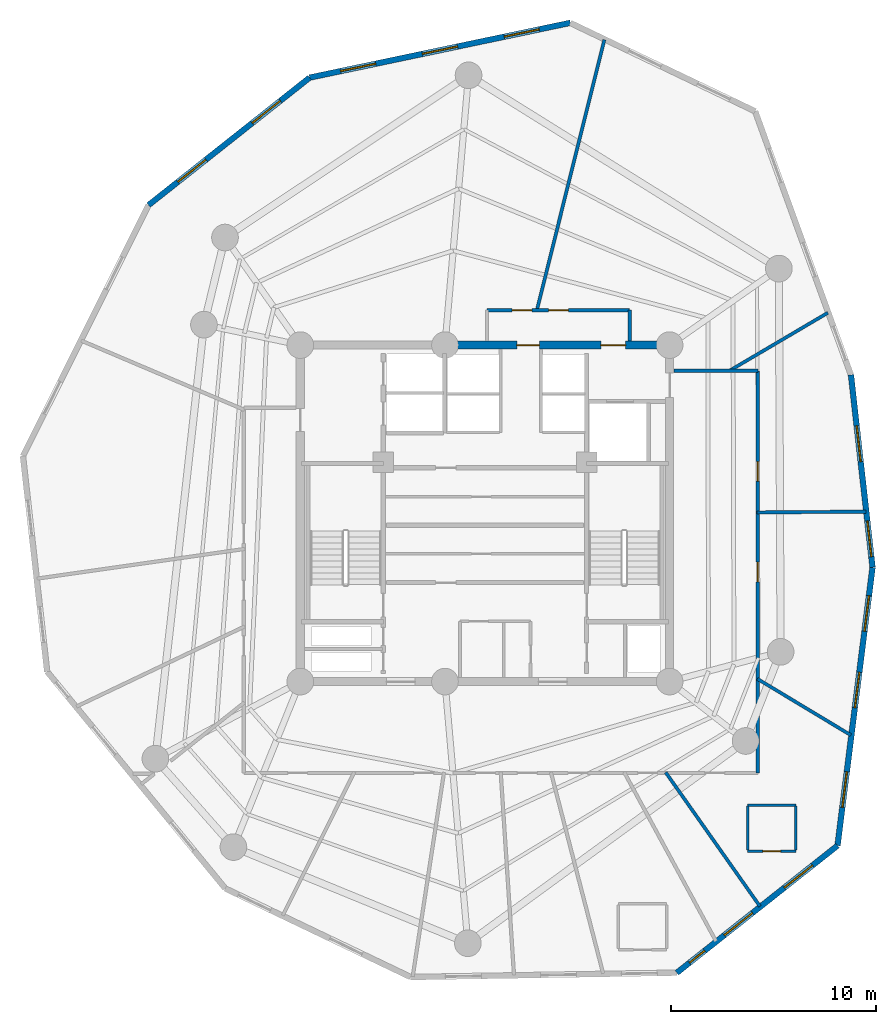
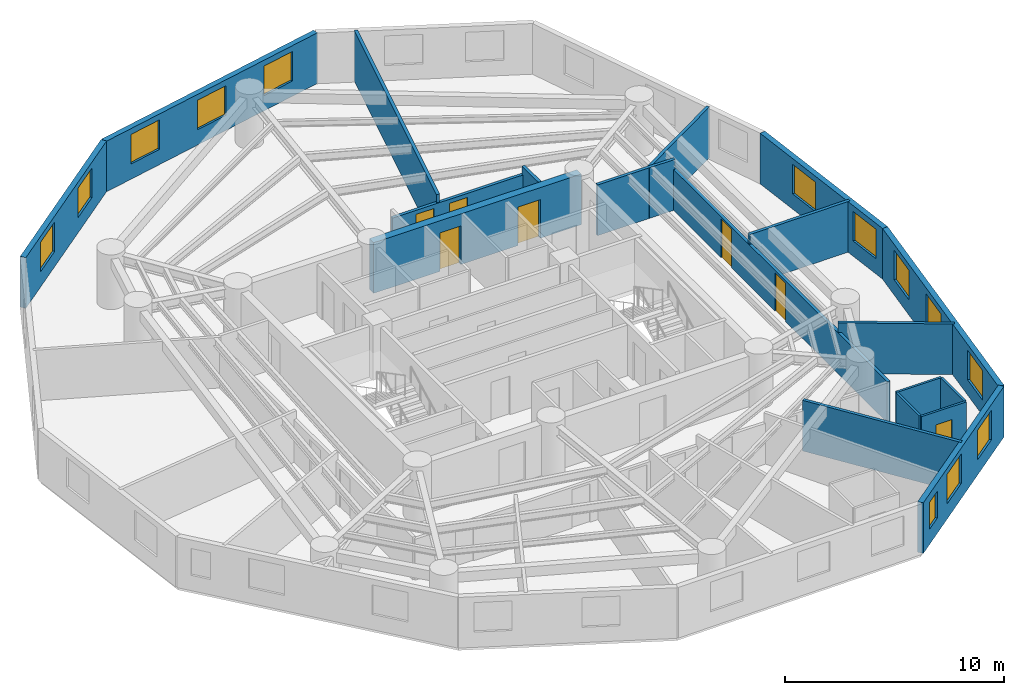
# One storey, part 5 of 7: 19 walls, 13 windows, 7 doors, 20 openings.
"""IFC4 building model written with IfcOpenShell, lengths in metres."""

from ifc_helpers import new_model, si_unit, direction, frame, frame_2d, origin, origin_with_axes, place, context, subcontext, project, spatial, rectangle, extrude, source, transform, mapped, material, layer, layer_set, type_object, element, fill, save


model = new_model("IFC4")

# Units and contexts
model_context = context("Model", 3, precision=1e-05, world=origin(), true_north=direction((0.0, 1.0)))
body_context = subcontext(model_context, "Body", "Model", "MODEL_VIEW")
ifc_project = project(units=[si_unit("LENGTHUNIT", "METRE"), si_unit("AREAUNIT", "SQUARE_METRE"), si_unit("VOLUMEUNIT", "CUBIC_METRE"), si_unit("PLANEANGLEUNIT", "RADIAN"), si_unit("MASSUNIT", "GRAM", prefix="KILO")], contexts=[model_context])

# Site, building, storey
site_placement = place(None, origin())
site = spatial("IfcSite", under=ifc_project, at=site_placement, CompositionType="ELEMENT")
building_placement = place(site_placement, origin())
building = spatial("IfcBuilding", under=site, at=building_placement, Name="Karkom Vertical University and Central Library", CompositionType="ELEMENT")
storey_placement = place(building_placement, frame((0.0, 0.0, 202.300048828125)))
storey = spatial("IfcBuildingStorey", under=building, at=storey_placement, Name="L59", CompositionType="ELEMENT", Elevation=202.300048828125)

# Wall, openings, windows
ifc_material_1 = material(Name="Brick-faced precast concrete C45/55", Category="masonry")
ifc_layer_1 = layer(ifc_material_1, 0.280029296875)
ifc_layer_set_1 = layer_set([ifc_layer_1], Name="Brick-faced precast concrete C45/55")
wall_type_1 = type_object("IfcWallType", Name="ENV-WL-BRK-280", PredefinedType="SOLIDWALL", material=ifc_layer_set_1)
wall_1_placement = place(storey_placement, frame((37.852294921875, 4.107421875, 0.0), z_axis=(0.0, 0.0, 1.0), x_axis=(0.784174665647, 0.620540162888, 0.0)))
wall_1 = element("IfcWall", 1, at=wall_1_placement, inside=storey, type_object=wall_type_1, Name="Level 59 Brick-Faced Precast Facade Wall 05", PredefinedType="SOLIDWALL", context=body_context, shape_type="SweptSolid", body=[
    extrude(rectangle(XDim=9.98876953125, YDim=0.280029296875, at=frame_2d((4.994384765625, 0.0))), origin(), (0.0, 0.0, 1.0), 2.824951171875),
])
opening_1_placement = place(wall_1_placement, frame((0.783935546875, 0.0, 0.85009765625)))
opening_1 = element("IfcOpeningElement", 2, at=opening_1_placement, cuts=wall_1, Name="Opening WN-12", PredefinedType="OPENING", context=body_context, shape_type="SweptSolid", body=[
    extrude(rectangle(XDim=0.949951171875, YDim=1.5, at=frame_2d((0.47509765625, 0.75))), frame((0.0, 0.14990234375, 0.0), z_axis=(0.0, -1.0, 0.0), x_axis=(1.0, 0.0, 0.0)), (0.0, 0.0, 1.0), 0.300048828125),
])
opening_2_placement = place(wall_1_placement, frame((2.947509765625, 0.0, 0.85009765625)))
opening_2 = element("IfcOpeningElement", 3, at=opening_2_placement, cuts=wall_1, Name="Opening WN-08", PredefinedType="OPENING", context=body_context, shape_type="SweptSolid", body=[
    extrude(rectangle(XDim=1.75, YDim=1.64990234375, at=frame_2d((0.875, 0.824951171875))), frame((0.0, 0.14990234375, 0.0), z_axis=(0.0, -1.0, 0.0), x_axis=(1.0, 0.0, 0.0)), (0.0, 0.0, 1.0), 0.300048828125),
])
opening_3_placement = place(wall_1_placement, frame((6.68310546875, 0.0, 0.85009765625)))
opening_3 = element("IfcOpeningElement", 4, at=opening_3_placement, cuts=wall_1, Name="Opening WN-08", PredefinedType="OPENING", context=body_context, shape_type="SweptSolid", body=[
    extrude(rectangle(XDim=1.75, YDim=1.64990234375, at=frame_2d((0.875, 0.824951171875))), frame((0.0, 0.14990234375, 0.0), z_axis=(0.0, -1.0, 0.0), x_axis=(1.0, 0.0, 0.0)), (0.0, 0.0, 1.0), 0.300048828125),
])
ifc_material_2 = material(Name="Aluminium thermal-break frame with solar-control IGU", Category="aluminium")
window_type_1 = type_object("IfcWindowType", Name="ENV-WIN-WN-12", PartitioningType="SINGLE_PANEL", PredefinedType="WINDOW", material=ifc_material_2)
shared_shape_1 = source(origin_with_axes(), body_context, "Body", "SweptSolid", [
    extrude(rectangle(XDim=0.949951171875, YDim=1.5, at=frame_2d((0.47509765625, 0.75))), frame((0.0, 0.030029296875, 0.0), z_axis=(0.0, -1.0, 0.0), x_axis=(1.0, 0.0, 0.0)), (0.0, 0.0, 1.0), 0.06005859375),
])
window_1_placement = place(opening_1_placement, origin())
window_1 = element("IfcWindow", 5, at=window_1_placement, inside=storey, type_object=window_type_1, Name="Level 59 Punched Window 5.1", OverallHeight=1.5, OverallWidth=0.949951171875, PartitioningType="SINGLE_PANEL", PredefinedType="WINDOW", context=body_context, shape_type="MappedRepresentation", body=[
    mapped(shared_shape_1, transform((0.0, 0.0, 0.0), scale=1.0)),
])
fill(opening_1, window_1)
window_type_2 = type_object("IfcWindowType", Name="ENV-WIN-WN-08", PartitioningType="SINGLE_PANEL", PredefinedType="WINDOW", material=ifc_material_2)
shared_shape_2 = source(origin_with_axes(), body_context, "Body", "SweptSolid", [
    extrude(rectangle(XDim=1.75, YDim=1.64990234375, at=frame_2d((0.875, 0.824951171875))), frame((0.0, 0.030029296875, 0.0), z_axis=(0.0, -1.0, 0.0), x_axis=(1.0, 0.0, 0.0)), (0.0, 0.0, 1.0), 0.06005859375),
])
window_2_placement = place(opening_2_placement, origin())
window_2 = element("IfcWindow", 6, at=window_2_placement, inside=storey, type_object=window_type_2, Name="Level 59 Punched Window 5.2", OverallHeight=1.64990234375, OverallWidth=1.75, PartitioningType="SINGLE_PANEL", PredefinedType="WINDOW", context=body_context, shape_type="MappedRepresentation", body=[
    mapped(shared_shape_2, transform((0.0, 0.0, 0.0), scale=1.0)),
])
fill(opening_2, window_2)
window_3_placement = place(opening_3_placement, origin())
window_3 = element("IfcWindow", 7, at=window_3_placement, inside=storey, type_object=window_type_2, Name="Level 59 Punched Window 5.3", OverallHeight=1.64990234375, OverallWidth=1.75, PartitioningType="SINGLE_PANEL", PredefinedType="WINDOW", context=body_context, shape_type="MappedRepresentation", body=[
    mapped(shared_shape_2, transform((0.0, 0.0, 0.0), scale=1.0)),
])
fill(opening_3, window_3)

wall_2_placement = place(storey_placement, frame((45.685302734375, 10.305908203125, 0.0), z_axis=(0.0, 0.0, 1.0), x_axis=(0.12479961812, 0.992181966837, 0.0)))
wall_2 = element("IfcWall", 8, at=wall_2_placement, inside=storey, type_object=wall_type_1, Name="Level 59 Brick-Faced Precast Facade Wall 06", PredefinedType="SOLIDWALL", context=body_context, shape_type="SweptSolid", body=[
    extrude(rectangle(XDim=13.67041015625, YDim=0.280029296875, at=frame_2d((6.835205078125, 0.0))), origin(), (0.0, 0.0, 1.0), 2.824951171875),
])
opening_4_placement = place(wall_2_placement, frame((1.87353515625, 0.0, 0.85009765625)))
opening_4 = element("IfcOpeningElement", 9, at=opening_4_placement, cuts=wall_2, Name="Opening WN-08", PredefinedType="OPENING", context=body_context, shape_type="SweptSolid", body=[
    extrude(rectangle(XDim=1.75, YDim=1.64990234375, at=frame_2d((0.875, 0.824951171875))), frame((0.0, 0.14990234375, 0.0), z_axis=(0.0, -1.0, 0.0), x_axis=(1.0, 0.0, 0.0)), (0.0, 0.0, 1.0), 0.300048828125),
])
opening_5_placement = place(wall_2_placement, frame((6.765380859375, 0.0, 0.85009765625)))
opening_5 = element("IfcOpeningElement", 10, at=opening_5_placement, cuts=wall_2, Name="Opening WN-08", PredefinedType="OPENING", context=body_context, shape_type="SweptSolid", body=[
    extrude(rectangle(XDim=1.75, YDim=1.64990234375, at=frame_2d((0.875, 0.824951171875))), frame((0.0, 0.14990234375, 0.0), z_axis=(0.0, -1.0, 0.0), x_axis=(1.0, 0.0, 0.0)), (0.0, 0.0, 1.0), 0.300048828125),
])
opening_6_placement = place(wall_2_placement, frame((10.531982421875, 0.0, 0.85009765625)))
opening_6 = element("IfcOpeningElement", 11, at=opening_6_placement, cuts=wall_2, Name="Opening WN-08", PredefinedType="OPENING", context=body_context, shape_type="SweptSolid", body=[
    extrude(rectangle(XDim=1.75, YDim=1.64990234375, at=frame_2d((0.875, 0.824951171875))), frame((0.0, 0.14990234375, 0.0), z_axis=(0.0, -1.0, 0.0), x_axis=(1.0, 0.0, 0.0)), (0.0, 0.0, 1.0), 0.300048828125),
])
window_4_placement = place(opening_4_placement, origin())
window_4 = element("IfcWindow", 12, at=window_4_placement, inside=storey, type_object=window_type_2, Name="Level 59 Punched Window 6.1", OverallHeight=1.64990234375, OverallWidth=1.75, PartitioningType="SINGLE_PANEL", PredefinedType="WINDOW", context=body_context, shape_type="MappedRepresentation", body=[
    mapped(shared_shape_2, transform((0.0, 0.0, 0.0), scale=1.0)),
])
fill(opening_4, window_4)
window_5_placement = place(opening_5_placement, origin())
window_5 = element("IfcWindow", 13, at=window_5_placement, inside=storey, type_object=window_type_2, Name="Level 59 Punched Window 6.2", OverallHeight=1.64990234375, OverallWidth=1.75, PartitioningType="SINGLE_PANEL", PredefinedType="WINDOW", context=body_context, shape_type="MappedRepresentation", body=[
    mapped(shared_shape_2, transform((0.0, 0.0, 0.0), scale=1.0)),
])
fill(opening_5, window_5)
window_6_placement = place(opening_6_placement, origin())
window_6 = element("IfcWindow", 14, at=window_6_placement, inside=storey, type_object=window_type_2, Name="Level 59 Punched Window 6.3", OverallHeight=1.64990234375, OverallWidth=1.75, PartitioningType="SINGLE_PANEL", PredefinedType="WINDOW", context=body_context, shape_type="MappedRepresentation", body=[
    mapped(shared_shape_2, transform((0.0, 0.0, 0.0), scale=1.0)),
])
fill(opening_6, window_6)

wall_3_placement = place(storey_placement, frame((47.391357421875, 23.869384765625, 0.0), z_axis=(0.0, 0.0, 1.0), x_axis=(-0.111464679835, 0.993768396131, 0.0)))
wall_3 = element("IfcWall", 15, at=wall_3_placement, inside=storey, type_object=wall_type_1, Name="Level 59 Brick-Faced Precast Facade Wall 07", PredefinedType="SOLIDWALL", context=body_context, shape_type="SweptSolid", body=[
    extrude(rectangle(XDim=9.440185546875, YDim=0.280029296875, at=frame_2d((4.72021484375, 0.0))), origin(), (0.0, 0.0, 1.0), 2.824951171875),
])
opening_7_placement = place(wall_3_placement, frame((0.5244140625, 0.0, 0.85009765625)))
opening_7 = element("IfcOpeningElement", 16, at=opening_7_placement, cuts=wall_3, Name="Opening WN-08", PredefinedType="OPENING", context=body_context, shape_type="SweptSolid", body=[
    extrude(rectangle(XDim=1.75, YDim=1.64990234375, at=frame_2d((0.875, 0.824951171875))), frame((0.0, 0.14990234375, 0.0), z_axis=(0.0, -1.0, 0.0), x_axis=(1.0, 0.0, 0.0)), (0.0, 0.0, 1.0), 0.300048828125),
])
opening_8_placement = place(wall_3_placement, frame((5.1845703125, 0.0, 0.85009765625)))
opening_8 = element("IfcOpeningElement", 17, at=opening_8_placement, cuts=wall_3, Name="Opening WN-08", PredefinedType="OPENING", context=body_context, shape_type="SweptSolid", body=[
    extrude(rectangle(XDim=1.75, YDim=1.64990234375, at=frame_2d((0.875, 0.824951171875))), frame((0.0, 0.14990234375, 0.0), z_axis=(0.0, -1.0, 0.0), x_axis=(1.0, 0.0, 0.0)), (0.0, 0.0, 1.0), 0.300048828125),
])
window_7_placement = place(opening_7_placement, origin())
window_7 = element("IfcWindow", 18, at=window_7_placement, inside=storey, type_object=window_type_2, Name="Level 59 Punched Window 7.1", OverallHeight=1.64990234375, OverallWidth=1.75, PartitioningType="SINGLE_PANEL", PredefinedType="WINDOW", context=body_context, shape_type="MappedRepresentation", body=[
    mapped(shared_shape_2, transform((0.0, 0.0, 0.0), scale=1.0)),
])
fill(opening_7, window_7)
window_8_placement = place(opening_8_placement, origin())
window_8 = element("IfcWindow", 19, at=window_8_placement, inside=storey, type_object=window_type_2, Name="Level 59 Punched Window 7.2", OverallHeight=1.64990234375, OverallWidth=1.75, PartitioningType="SINGLE_PANEL", PredefinedType="WINDOW", context=body_context, shape_type="MappedRepresentation", body=[
    mapped(shared_shape_2, transform((0.0, 0.0, 0.0), scale=1.0)),
])
fill(opening_8, window_8)

wall_4_placement = place(storey_placement, frame((32.658935546875, 50.408203125, 0.0), z_axis=(0.0, 0.0, 1.0), x_axis=(-0.978627730871, -0.205639890026, 0.0)))
wall_4 = element("IfcWall", 20, at=wall_4_placement, inside=storey, type_object=wall_type_1, Name="Level 59 Brick-Faced Precast Facade Wall 10", PredefinedType="SOLIDWALL", context=body_context, shape_type="SweptSolid", body=[
    extrude(rectangle(XDim=12.982177734375, YDim=0.280029296875, at=frame_2d((6.4912109375, 0.0))), origin(), (0.0, 0.0, 1.0), 2.824951171875),
])
opening_9_placement = place(wall_4_placement, frame((1.5419921875, 0.0, 0.85009765625)))
opening_9 = element("IfcOpeningElement", 21, at=opening_9_placement, cuts=wall_4, Name="Opening WN-08", PredefinedType="OPENING", context=body_context, shape_type="SweptSolid", body=[
    extrude(rectangle(XDim=1.75, YDim=1.64990234375, at=frame_2d((0.875, 0.824951171875))), frame((0.0, 0.14990234375, 0.0), z_axis=(0.0, -1.0, 0.0), x_axis=(1.0, 0.0, 0.0)), (0.0, 0.0, 1.0), 0.300048828125),
])
opening_10_placement = place(wall_4_placement, frame((5.6162109375, 0.0, 0.85009765625)))
opening_10 = element("IfcOpeningElement", 22, at=opening_10_placement, cuts=wall_4, Name="Opening WN-08", PredefinedType="OPENING", context=body_context, shape_type="SweptSolid", body=[
    extrude(rectangle(XDim=1.75, YDim=1.64990234375, at=frame_2d((0.875, 0.824951171875))), frame((0.0, 0.14990234375, 0.0), z_axis=(0.0, -1.0, 0.0), x_axis=(1.0, 0.0, 0.0)), (0.0, 0.0, 1.0), 0.300048828125),
])
opening_11_placement = place(wall_4_placement, frame((9.690185546875, 0.0, 0.85009765625)))
opening_11 = element("IfcOpeningElement", 23, at=opening_11_placement, cuts=wall_4, Name="Opening WN-08", PredefinedType="OPENING", context=body_context, shape_type="SweptSolid", body=[
    extrude(rectangle(XDim=1.75, YDim=1.64990234375, at=frame_2d((0.875, 0.824951171875))), frame((0.0, 0.14990234375, 0.0), z_axis=(0.0, -1.0, 0.0), x_axis=(1.0, 0.0, 0.0)), (0.0, 0.0, 1.0), 0.300048828125),
])
window_9_placement = place(opening_9_placement, origin())
window_9 = element("IfcWindow", 24, at=window_9_placement, inside=storey, type_object=window_type_2, Name="Level 59 Punched Window 10.1", OverallHeight=1.64990234375, OverallWidth=1.75, PartitioningType="SINGLE_PANEL", PredefinedType="WINDOW", context=body_context, shape_type="MappedRepresentation", body=[
    mapped(shared_shape_2, transform((0.0, 0.0, 0.0), scale=1.0)),
])
fill(opening_9, window_9)
window_10_placement = place(opening_10_placement, origin())
window_10 = element("IfcWindow", 25, at=window_10_placement, inside=storey, type_object=window_type_2, Name="Level 59 Punched Window 10.2", OverallHeight=1.64990234375, OverallWidth=1.75, PartitioningType="SINGLE_PANEL", PredefinedType="WINDOW", context=body_context, shape_type="MappedRepresentation", body=[
    mapped(shared_shape_2, transform((0.0, 0.0, 0.0), scale=1.0)),
])
fill(opening_10, window_10)
window_11_placement = place(opening_11_placement, origin())
window_11 = element("IfcWindow", 26, at=window_11_placement, inside=storey, type_object=window_type_2, Name="Level 59 Punched Window 10.3", OverallHeight=1.64990234375, OverallWidth=1.75, PartitioningType="SINGLE_PANEL", PredefinedType="WINDOW", context=body_context, shape_type="MappedRepresentation", body=[
    mapped(shared_shape_2, transform((0.0, 0.0, 0.0), scale=1.0)),
])
fill(opening_11, window_11)

wall_5_placement = place(storey_placement, frame((19.9541015625, 47.738525390625, 0.0), z_axis=(0.0, 0.0, 1.0), x_axis=(-0.784172415101, -0.620543006886, 0.0)))
wall_5 = element("IfcWall", 27, at=wall_5_placement, inside=storey, type_object=wall_type_1, Name="Level 59 Brick-Faced Precast Facade Wall 11", PredefinedType="SOLIDWALL", context=body_context, shape_type="SweptSolid", body=[
    extrude(rectangle(XDim=10.010009765625, YDim=0.280029296875, at=frame_2d((5.0048828125, 0.0))), origin(), (0.0, 0.0, 1.0), 2.824951171875),
])
opening_12_placement = place(wall_5_placement, frame((1.8173828125, 0.0, 0.85009765625)))
opening_12 = element("IfcOpeningElement", 28, at=opening_12_placement, cuts=wall_5, Name="Opening WN-08", PredefinedType="OPENING", context=body_context, shape_type="SweptSolid", body=[
    extrude(rectangle(XDim=1.75, YDim=1.64990234375, at=frame_2d((0.875, 0.824951171875))), frame((0.0, 0.14990234375, 0.0), z_axis=(0.0, -1.0, 0.0), x_axis=(1.0, 0.0, 0.0)), (0.0, 0.0, 1.0), 0.300048828125),
])
opening_13_placement = place(wall_5_placement, frame((6.442626953125, 0.0, 0.85009765625)))
opening_13 = element("IfcOpeningElement", 29, at=opening_13_placement, cuts=wall_5, Name="Opening WN-08", PredefinedType="OPENING", context=body_context, shape_type="SweptSolid", body=[
    extrude(rectangle(XDim=1.75, YDim=1.64990234375, at=frame_2d((0.875, 0.824951171875))), frame((0.0, 0.14990234375, 0.0), z_axis=(0.0, -1.0, 0.0), x_axis=(1.0, 0.0, 0.0)), (0.0, 0.0, 1.0), 0.300048828125),
])
window_12_placement = place(opening_12_placement, origin())
window_12 = element("IfcWindow", 30, at=window_12_placement, inside=storey, type_object=window_type_2, Name="Level 59 Punched Window 11.1", OverallHeight=1.64990234375, OverallWidth=1.75, PartitioningType="SINGLE_PANEL", PredefinedType="WINDOW", context=body_context, shape_type="MappedRepresentation", body=[
    mapped(shared_shape_2, transform((0.0, 0.0, 0.0), scale=1.0)),
])
fill(opening_12, window_12)
window_13_placement = place(opening_13_placement, origin())
window_13 = element("IfcWindow", 31, at=window_13_placement, inside=storey, type_object=window_type_2, Name="Level 59 Punched Window 11.2", OverallHeight=1.64990234375, OverallWidth=1.75, PartitioningType="SINGLE_PANEL", PredefinedType="WINDOW", context=body_context, shape_type="MappedRepresentation", body=[
    mapped(shared_shape_2, transform((0.0, 0.0, 0.0), scale=1.0)),
])
fill(opening_13, window_13)

# Wall, openings, doors
ifc_material_3 = material(Name="Insulated metal-stud drywall 160mm", Category="gypsum")
ifc_layer_2 = layer(ifc_material_3, 0.159912109375)
ifc_layer_set_2 = layer_set([ifc_layer_2], Name="Insulated metal-stud drywall 160mm")
wall_type_2 = type_object("IfcWallType", Name="INT-WL-COR-160", PredefinedType="PARTITIONING", material=ifc_layer_set_2)
wall_6_placement = place(storey_placement, frame((41.800048828125, 33.449951171875, 0.0), z_axis=(0.0, 0.0, 1.0), x_axis=(0.0, -1.0, 0.0)))
wall_6 = element("IfcWall", 32, at=wall_6_placement, inside=storey, type_object=wall_type_2, Name="Level 59 Interior Partition Wall L59-CORW-CW-005", PredefinedType="PARTITIONING", context=body_context, shape_type="SweptSolid", body=[
    extrude(rectangle(XDim=19.599853515625, YDim=0.159912109375, at=frame_2d((9.7998046875, 0.0))), origin(), (0.0, 0.0, 1.0), 2.27490234375),
])
opening_14_placement = place(wall_6_placement, frame((9.324951171875, 0.0, 0.0)))
opening_14 = element("IfcOpeningElement", 33, at=opening_14_placement, cuts=wall_6, Name="Opening FD-RM2", PredefinedType="OPENING", context=body_context, shape_type="SweptSolid", body=[
    extrude(rectangle(XDim=0.9599609375, YDim=2.14990234375, at=frame_2d((0.47998046875, 1.074951171875))), frame((0.0, 0.08984375, 0.0), z_axis=(0.0, -1.0, 0.0), x_axis=(1.0, 0.0, 0.0)), (0.0, 0.0, 1.0), 0.179931640625),
])
opening_15_placement = place(wall_6_placement, frame((4.425048828125, 0.0, 0.0)))
opening_15 = element("IfcOpeningElement", 34, at=opening_15_placement, cuts=wall_6, Name="Opening FD-RM2", PredefinedType="OPENING", context=body_context, shape_type="SweptSolid", body=[
    extrude(rectangle(XDim=0.9599609375, YDim=2.14990234375, at=frame_2d((0.47998046875, 1.074951171875))), frame((0.0, 0.08984375, 0.0), z_axis=(0.0, -1.0, 0.0), x_axis=(1.0, 0.0, 0.0)), (0.0, 0.0, 1.0), 0.179931640625),
])
ifc_material_4 = material(Name="Fire-rated oak veneer door", Category="wood")
door_type_1 = type_object("IfcDoorType", Name="INT-DR-FRM2", OperationType="NOTDEFINED", PredefinedType="DOOR", material=ifc_material_4)
shared_shape_3 = source(origin_with_axes(), body_context, "Body", "SweptSolid", [
    extrude(rectangle(XDim=0.9599609375, YDim=2.14990234375, at=frame_2d((0.47998046875, 1.074951171875))), frame((0.0, 0.02490234375, 0.0), z_axis=(0.0, -1.0, 0.0), x_axis=(1.0, 0.0, 0.0)), (0.0, 0.0, 1.0), 0.050048828125),
])
door_1_placement = place(opening_14_placement, origin())
door_1 = element("IfcDoor", 35, at=door_1_placement, inside=storey, type_object=door_type_1, Name="Level 59 Room Entry Door 091", OperationType="SINGLE_SWING_LEFT", OverallHeight=2.14990234375, OverallWidth=0.9599609375, PredefinedType="DOOR", context=body_context, shape_type="MappedRepresentation", body=[
    mapped(shared_shape_3, transform((0.0, 0.0, 0.0), scale=1.0)),
])
fill(opening_14, door_1)
door_2_placement = place(opening_15_placement, origin())
door_2 = element("IfcDoor", 36, at=door_2_placement, inside=storey, type_object=door_type_1, Name="Level 59 Room Entry Door 101", OperationType="SINGLE_SWING_RIGHT", OverallHeight=2.14990234375, OverallWidth=0.9599609375, PredefinedType="DOOR", context=body_context, shape_type="MappedRepresentation", body=[
    mapped(shared_shape_3, transform((0.0, 0.0, 0.0), scale=1.0)),
])
fill(opening_15, door_2)

# Walls
wall_7_placement = place(storey_placement, frame((31.02294921875, 36.370849609375, 0.0), z_axis=(0.0, 0.0, 1.0), x_axis=(0.241928205184, 0.970294153098, 0.0)))
element("IfcWall", 37, at=wall_7_placement, inside=storey, type_object=wall_type_2, Name="Level 59 Interior Partition Wall L59-PW-015", PredefinedType="PARTITIONING", context=body_context, shape_type="SweptSolid", body=[
    extrude(rectangle(XDim=13.619384765625, YDim=0.159912109375, at=frame_2d((6.8095703125, 0.0))), origin(), (0.0, 0.0, 1.0), 2.824951171875),
])
wall_8_placement = place(storey_placement, frame((37.30908203125, 13.87451171875, 0.0), z_axis=(0.0, 0.0, 1.0), x_axis=(0.575420685622, -0.817857588189, 0.0)))
element("IfcWall", 38, at=wall_8_placement, inside=storey, type_object=wall_type_2, Name="Level 59 Interior Partition Wall L59-PW-011", PredefinedType="PARTITIONING", context=body_context, shape_type="SweptSolid", body=[
    extrude(rectangle(XDim=7.983642578125, YDim=0.159912109375, at=frame_2d((3.99169921875, 0.0))), origin(), (0.0, 0.0, 1.0), 2.824951171875),
])

# Wall, openings, doors
wall_9_placement = place(storey_placement, frame((28.60009765625, 36.39990234375, 0.0), z_axis=(0.0, 0.0, 1.0), x_axis=(1.0, 0.0, 0.0)))
wall_9 = element("IfcWall", 39, at=wall_9_placement, inside=storey, type_object=wall_type_2, Name="Level 59 Interior Partition Wall L59-CORW-CW-007", PredefinedType="PARTITIONING", context=body_context, shape_type="SweptSolid", body=[
    extrude(rectangle(XDim=6.949951171875, YDim=0.159912109375, at=frame_2d((3.47509765625, 0.0))), origin(), (0.0, 0.0, 1.0), 2.375),
])
opening_16_placement = place(wall_9_placement, frame((3.0, 0.0, 0.0)))
opening_16 = element("IfcOpeningElement", 40, at=opening_16_placement, cuts=wall_9, Name="Opening FD-RM2", PredefinedType="OPENING", context=body_context, shape_type="SweptSolid", body=[
    extrude(rectangle(XDim=0.9599609375, YDim=2.14990234375, at=frame_2d((0.47998046875, 1.074951171875))), frame((0.0, 0.08984375, 0.0), z_axis=(0.0, -1.0, 0.0), x_axis=(1.0, 0.0, 0.0)), (0.0, 0.0, 1.0), 0.179931640625),
])
opening_17_placement = place(wall_9_placement, frame((1.222412109375, 0.0, 0.0)))
opening_17 = element("IfcOpeningElement", 41, at=opening_17_placement, cuts=wall_9, Name="Opening FD-RM2", PredefinedType="OPENING", context=body_context, shape_type="SweptSolid", body=[
    extrude(rectangle(XDim=0.9599609375, YDim=2.14990234375, at=frame_2d((0.47998046875, 1.074951171875))), frame((0.0, 0.08984375, 0.0), z_axis=(0.0, -1.0, 0.0), x_axis=(1.0, 0.0, 0.0)), (0.0, 0.0, 1.0), 0.179931640625),
])
door_3_placement = place(opening_16_placement, origin())
door_3 = element("IfcDoor", 42, at=door_3_placement, inside=storey, type_object=door_type_1, Name="Level 59 Room Entry Door 111", OperationType="SINGLE_SWING_LEFT", OverallHeight=2.14990234375, OverallWidth=0.9599609375, PredefinedType="DOOR", context=body_context, shape_type="MappedRepresentation", body=[
    mapped(shared_shape_3, transform((0.0, 0.0, 0.0), scale=1.0)),
])
fill(opening_16, door_3)
door_4_placement = place(opening_17_placement, origin())
door_4 = element("IfcDoor", 43, at=door_4_placement, inside=storey, type_object=door_type_1, Name="Level 59 Room Entry Door 121", OperationType="SINGLE_SWING_RIGHT", OverallHeight=2.14990234375, OverallWidth=0.9599609375, PredefinedType="DOOR", context=body_context, shape_type="MappedRepresentation", body=[
    mapped(shared_shape_3, transform((0.0, 0.0, 0.0), scale=1.0)),
])
fill(opening_17, door_4)

# Walls
wall_10_placement = place(storey_placement, frame((40.39111328125, 33.434814453125, 0.0), z_axis=(0.0, 0.0, 1.0), x_axis=(0.861618875774, 0.507555822457, 0.0)))
element("IfcWall", 44, at=wall_10_placement, inside=storey, type_object=wall_type_2, Name="Level 59 Interior Partition Wall L59-PW-014", PredefinedType="PARTITIONING", context=body_context, shape_type="SweptSolid", body=[
    extrude(rectangle(XDim=5.595703125, YDim=0.159912109375, at=frame_2d((2.7978515625, 0.0))), origin(), (0.0, 0.0, 1.0), 2.824951171875),
])
wall_11_placement = place(storey_placement, frame((41.7744140625, 18.435302734375, 0.0), z_axis=(0.0, 0.0, 1.0), x_axis=(0.856604919923, -0.515972878321, 0.0)))
element("IfcWall", 45, at=wall_11_placement, inside=storey, type_object=wall_type_2, Name="Level 59 Interior Partition Wall L59-PW-012", PredefinedType="PARTITIONING", context=body_context, shape_type="SweptSolid", body=[
    extrude(rectangle(XDim=5.3203125, YDim=0.159912109375, at=frame_2d((2.66015625, 0.0))), origin(), (0.0, 0.0, 1.0), 2.824951171875),
])
wall_12_placement = place(storey_placement, frame((41.7548828125, 26.54345703125, 0.0), z_axis=(0.0, 0.0, 1.0), x_axis=(0.999969775128, 0.007774884615, 0.0)))
element("IfcWall", 46, at=wall_12_placement, inside=storey, type_object=wall_type_2, Name="Level 59 Interior Partition Wall L59-PW-013", PredefinedType="PARTITIONING", context=body_context, shape_type="SweptSolid", body=[
    extrude(rectangle(XDim=5.306884765625, YDim=0.159912109375, at=frame_2d((2.6533203125, 0.0))), origin(), (0.0, 0.0, 1.0), 2.824951171875),
])
wall_13_placement = place(storey_placement, frame((37.70703125, 33.449951171875, 0.0), z_axis=(0.0, 0.0, 1.0), x_axis=(1.0, 0.0, 0.0)))
element("IfcWall", 47, at=wall_13_placement, inside=storey, type_object=wall_type_2, Name="Level 59 Interior Partition Wall L59-CORW-CW-004", PredefinedType="PARTITIONING", context=body_context, shape_type="SweptSolid", body=[
    extrude(rectangle(XDim=4.093017578125, YDim=0.159912109375, at=frame_2d((2.04638671875, 0.0))), origin(), (0.0, 0.0, 1.0), 2.824951171875),
])
wall_14_placement = place(storey_placement, frame((35.550048828125, 36.39990234375, 0.0), z_axis=(0.0, 0.0, 1.0), x_axis=(0.0, -1.0, 0.0)))
element("IfcWall", 48, at=wall_14_placement, inside=storey, type_object=wall_type_2, Name="Level 59 Interior Partition Wall L59-CORW-CW-008", PredefinedType="PARTITIONING", context=body_context, shape_type="SweptSolid", body=[
    extrude(rectangle(XDim=1.492919921875, YDim=0.159912109375, at=frame_2d((0.74658203125, 0.0))), origin(), (0.0, 0.0, 1.0), 2.824951171875),
])

# Wall, opening, door
ifc_material_5 = material(Name="Moisture-resistant drywall 120mm", Category="gypsum")
ifc_layer_3 = layer(ifc_material_5, 0.1201171875)
ifc_layer_set_3 = layer_set([ifc_layer_3], Name="Moisture-resistant drywall 120mm")
wall_type_3 = type_object("IfcWallType", Name="INT-WL-INT-120F", PredefinedType="PARTITIONING", material=ifc_layer_set_3)
wall_15_placement = place(storey_placement, frame((41.298095703125, 10.0400390625, 0.0), z_axis=(0.0, 0.0, 1.0), x_axis=(1.0, 0.0, 0.0)))
wall_15 = element("IfcWall", 49, at=wall_15_placement, inside=storey, type_object=wall_type_3, Name="Level 59 Interior Partition Wall L59-ENS-08-S", PredefinedType="PARTITIONING", context=body_context, shape_type="SweptSolid", body=[
    extrude(rectangle(XDim=2.35986328125, YDim=0.1201171875, at=frame_2d((1.179931640625, 0.0))), origin(), (0.0, 0.0, 1.0), 2.824951171875),
])
opening_18_placement = place(wall_15_placement, frame((0.75, 0.0, 0.0)))
opening_18 = element("IfcOpeningElement", 50, at=opening_18_placement, cuts=wall_15, Name="Opening D-BATH", PredefinedType="OPENING", context=body_context, shape_type="SweptSolid", body=[
    extrude(rectangle(XDim=0.860107421875, YDim=2.10009765625, at=frame_2d((0.43017578125, 1.050048828125))), frame((0.0, 0.070068359375, 0.0), z_axis=(0.0, -1.0, 0.0), x_axis=(1.0, 0.0, 0.0)), (0.0, 0.0, 1.0), 0.14013671875),
])
ifc_material_6 = material(Name="Moisture-resistant oak door", Category="wood")
door_type_2 = type_object("IfcDoorType", Name="INT-DR-BATH", OperationType="NOTDEFINED", PredefinedType="DOOR", material=ifc_material_6)
shared_shape_4 = source(origin_with_axes(), body_context, "Body", "SweptSolid", [
    extrude(rectangle(XDim=0.860107421875, YDim=2.10009765625, at=frame_2d((0.43017578125, 1.050048828125))), frame((0.0, 0.02490234375, 0.0), z_axis=(0.0, -1.0, 0.0), x_axis=(1.0, 0.0, 0.0)), (0.0, 0.0, 1.0), 0.050048828125),
])
door_5_placement = place(opening_18_placement, origin())
door_5 = element("IfcDoor", 51, at=door_5_placement, inside=storey, type_object=door_type_2, Name="Level 59 En-Suite Bathroom Door 08", OperationType="SINGLE_SWING_RIGHT", OverallHeight=2.10009765625, OverallWidth=0.860107421875, PredefinedType="DOOR", context=body_context, shape_type="MappedRepresentation", body=[
    mapped(shared_shape_4, transform((0.0, 0.0, 0.0), scale=1.0)),
])
fill(opening_18, door_5)

# Walls
wall_16_placement = place(storey_placement, frame((43.657958984375, 12.280029296875, 0.0), z_axis=(0.0, 0.0, 1.0), x_axis=(-1.0, 0.0, 0.0)))
element("IfcWall", 52, at=wall_16_placement, inside=storey, type_object=wall_type_3, Name="Level 59 Interior Partition Wall L59-ENS-08-N", PredefinedType="PARTITIONING", context=body_context, shape_type="SweptSolid", body=[
    extrude(rectangle(XDim=2.35986328125, YDim=0.1201171875, at=frame_2d((1.179931640625, 0.0))), origin(), (0.0, 0.0, 1.0), 2.824951171875),
])
for number, where, z_axis, x_axis, name in (
    (53, (43.657958984375, 10.090087890625, 0.0), (0.0, 0.0, 1.0), (0.0, 1.0, 0.0), "Level 59 Interior Partition Wall L59-ENS-08-E"),
    (54, (41.298095703125, 12.22998046875, 0.0), (0.0, 0.0, 1.0), (0.0, -1.0, 0.0), "Level 59 Interior Partition Wall L59-ENS-08-W"),
):
    element("IfcWall", number, at=place(storey_placement, frame(where, z_axis=z_axis, x_axis=x_axis)), inside=storey, type_object=wall_type_3, Name=name, PredefinedType="PARTITIONING", context=body_context, shape_type="SweptSolid", body=[
        extrude(rectangle(XDim=2.139892578125, YDim=0.1201171875, at=frame_2d((1.06982421875, 0.0))), origin(), (0.0, 0.0, 1.0), 2.824951171875),
    ])

# Wall, openings, doors
ifc_material_7 = material(Name="Concrete C50/60", Category="concrete")
ifc_layer_4 = layer(ifc_material_7, 0.39990234375)
ifc_layer_set_4 = layer_set([ifc_layer_4], Name="Concrete C50/60")
wall_type_4 = type_object("IfcWallType", Name="STR-WL-CW-400", PredefinedType="SHEAR", material=ifc_layer_set_4)
wall_17_placement = place(storey_placement, frame((37.5, 34.699951171875, 0.0), z_axis=(0.0, 0.0, 1.0), x_axis=(-1.0, 0.0, 0.0)))
wall_17 = element("IfcWall", 55, at=wall_17_placement, inside=storey, type_object=wall_type_4, Name="Level 59 Central Core Shear Wall NW1", PredefinedType="SHEAR", context=body_context, shape_type="SweptSolid", body=[
    extrude(rectangle(XDim=10.949951171875, YDim=0.39990234375, at=frame_2d((5.47509765625, 0.0))), origin(), (0.0, 0.0, 1.0), 2.824951171875),
])
opening_19_placement = place(wall_17_placement, frame((2.14990234375, 0.0, 0.0)))
opening_19 = element("IfcOpeningElement", 56, at=opening_19_placement, cuts=wall_17, Name="Opening FD-SUB1", PredefinedType="OPENING", context=body_context, shape_type="SweptSolid", body=[
    extrude(rectangle(XDim=1.199951171875, YDim=2.14990234375, at=frame_2d((0.60009765625, 1.074951171875))), frame((0.0, 0.2099609375, 0.0), z_axis=(0.0, -1.0, 0.0), x_axis=(1.0, 0.0, 0.0)), (0.0, 0.0, 1.0), 0.419921875),
])
opening_20_placement = place(wall_17_placement, frame((6.35009765625, 0.0, 0.0)))
opening_20 = element("IfcOpeningElement", 57, at=opening_20_placement, cuts=wall_17, Name="Opening FD-FFL", PredefinedType="OPENING", context=body_context, shape_type="SweptSolid", body=[
    extrude(rectangle(XDim=1.10009765625, YDim=2.14990234375, at=frame_2d((0.550048828125, 1.074951171875))), frame((0.0, 0.2099609375, 0.0), z_axis=(0.0, -1.0, 0.0), x_axis=(1.0, 0.0, 0.0)), (0.0, 0.0, 1.0), 0.419921875),
])
ifc_material_8 = material(Name="Painted steel smoke-seal fire door", Category="steel")
door_type_3 = type_object("IfcDoorType", Name="INT-DR-FFL", OperationType="NOTDEFINED", PredefinedType="DOOR", material=ifc_material_8)
shared_shape_5 = source(origin_with_axes(), body_context, "Body", "SweptSolid", [
    extrude(rectangle(XDim=1.10009765625, YDim=2.14990234375, at=frame_2d((0.550048828125, 1.074951171875))), frame((0.0, 0.02490234375, 0.0), z_axis=(0.0, -1.0, 0.0), x_axis=(1.0, 0.0, 0.0)), (0.0, 0.0, 1.0), 0.050048828125),
])
door_6_placement = place(opening_20_placement, origin())
door_6 = element("IfcDoor", 58, at=door_6_placement, inside=storey, type_object=door_type_3, Name="Level 59 North Core Lobby Exit Door", OperationType="SINGLE_SWING_LEFT", OverallHeight=2.14990234375, OverallWidth=1.10009765625, PredefinedType="DOOR", context=body_context, shape_type="MappedRepresentation", body=[
    mapped(shared_shape_5, transform((0.0, 0.0, 0.0), scale=1.0)),
])
fill(opening_20, door_6)
ifc_material_9 = material(Name="Painted steel fire door", Category="steel")
door_type_4 = type_object("IfcDoorType", Name="INT-DR-SUB1", OperationType="NOTDEFINED", PredefinedType="DOOR", material=ifc_material_9)
shared_shape_6 = source(origin_with_axes(), body_context, "Body", "SweptSolid", [
    extrude(rectangle(XDim=1.199951171875, YDim=2.14990234375, at=frame_2d((0.60009765625, 1.074951171875))), frame((0.0, 0.02490234375, 0.0), z_axis=(0.0, -1.0, 0.0), x_axis=(1.0, 0.0, 0.0)), (0.0, 0.0, 1.0), 0.050048828125),
])
door_7_placement = place(opening_19_placement, origin())
door_7 = element("IfcDoor", 59, at=door_7_placement, inside=storey, type_object=door_type_4, Name="Level 59 Service Lobby Fire Door", OperationType="SINGLE_SWING_LEFT", OverallHeight=2.14990234375, OverallWidth=1.199951171875, PredefinedType="DOOR", context=body_context, shape_type="MappedRepresentation", body=[
    mapped(shared_shape_6, transform((0.0, 0.0, 0.0), scale=1.0)),
])
fill(opening_19, door_7)

save(model, "model.ifc")
